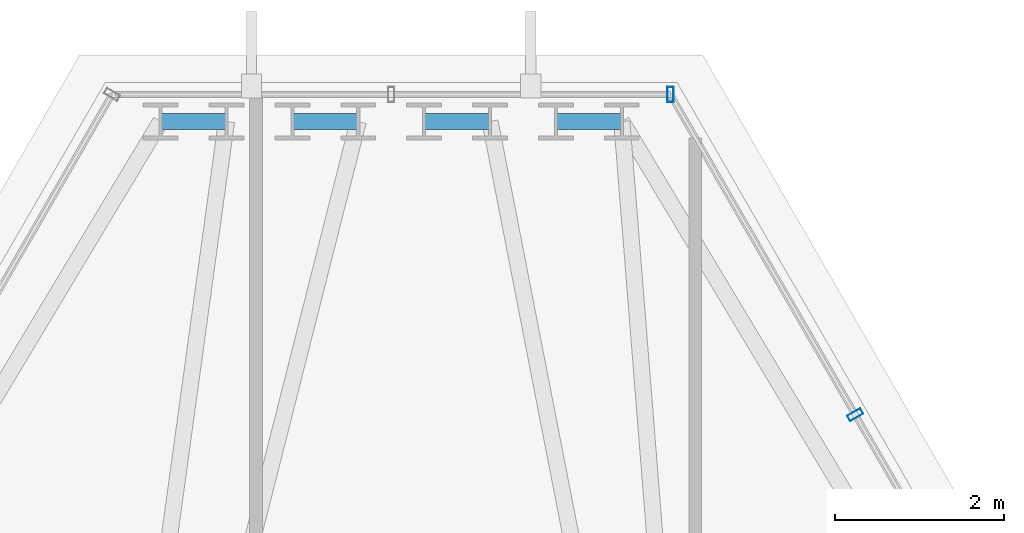
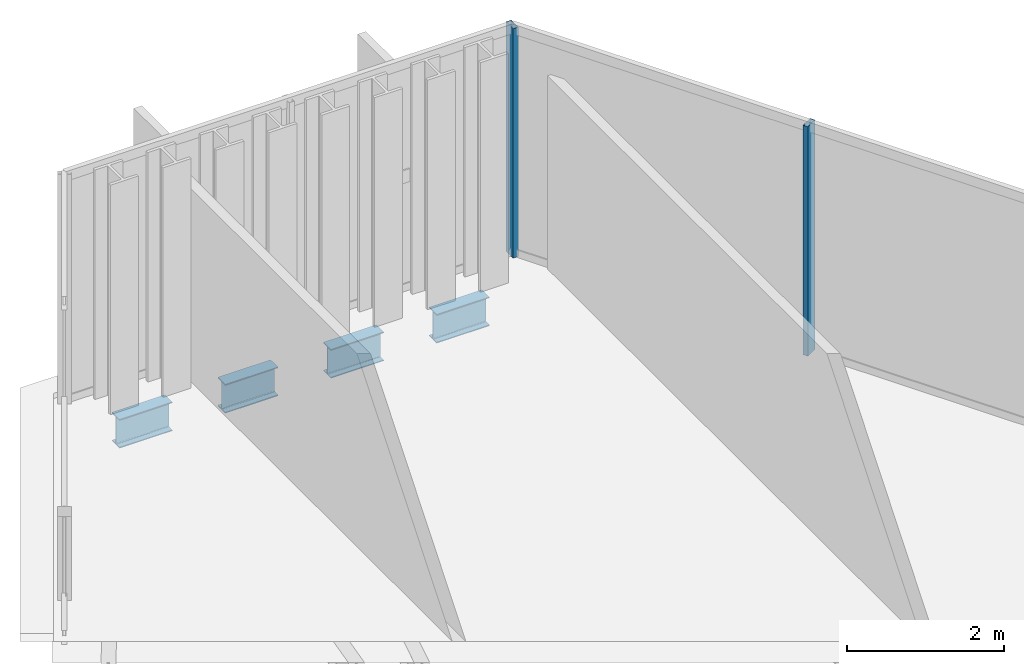
# One storey, part 22 of 29: 4 beams, 2 members, 2 elements without a shape of their own.
"""IFC4 building model written with IfcOpenShell, lengths in metres."""

from ifc_helpers import new_model, si_unit, direction, frame, origin, origin_2d, place, context, subcontext, project, spatial, hollow_rectangle, i_section, extrude, material, layer, layer_set, material_profile, profile_set, type_object, element, aggregate, save


model = new_model("IFC4")

# Units and contexts
model_context = context("Model", 3, precision=1e-05, world=origin(), true_north=direction((0.0, 1.0)))
body_context = subcontext(model_context, "Body", "Model", "MODEL_VIEW")
ifc_project = project(units=[si_unit("LENGTHUNIT", "METRE"), si_unit("AREAUNIT", "SQUARE_METRE"), si_unit("VOLUMEUNIT", "CUBIC_METRE"), si_unit("PLANEANGLEUNIT", "RADIAN"), si_unit("MASSUNIT", "GRAM", prefix="KILO")], contexts=[model_context])

# Site, building, storey
site_placement = place(None, origin())
site = spatial("IfcSite", under=ifc_project, at=site_placement, CompositionType="ELEMENT")
building_placement = place(site_placement, origin())
building = spatial("IfcBuilding", under=site, at=building_placement, Name="Ndaravel Arena Tower", CompositionType="ELEMENT")
storey_placement = place(building_placement, frame((0.0, 0.0, 240.800048828125)))
storey = spatial("IfcBuildingStorey", under=building, at=storey_placement, Name="L58", CompositionType="ELEMENT", Elevation=240.800048828125)

# Beams
ifc_material_1 = material(Name="Steel S355", Category="steel")
ifc_material_profile_1 = material_profile(ifc_material_1, i_section(OverallWidth=0.18994140625, OverallDepth=0.449951171875, WebThickness=0.009521484375, FlangeThickness=0.0146484375, FilletRadius=0.02099609375, at=origin_2d()), Name="IPE 450")
ifc_profile_set_1 = profile_set([ifc_material_profile_1], Name="Steel S355")
beam_type = type_object("IfcBeamType", Name="BM-SPAN-IPE450", PredefinedType="SPANDREL", material=ifc_profile_set_1)
for number, where, z_axis, x_axis, name in (
    (1, (44.72900390625, 44.669677734375, -0.445068359375), (-1.0, 0.0, 0.0), (0.0, -1.0, 0.0), "L58 Perimeter Spandrel Beam SP-11"),
    (2, (43.169677734375, 44.669677734375, -0.445068359375), (-1.0, 0.0, 0.0), (0.0, -1.0, 0.0), "L58 Perimeter Spandrel Beam SP-13"),
    (3, (41.610107421875, 44.669677734375, -0.445068359375), (-1.0, 0.0, 0.0), (0.0, -1.0, 0.0), "L58 Perimeter Spandrel Beam SP-15"),
    (4, (40.05078125, 44.669677734375, -0.445068359375), (-1.0, 0.0, 0.0), (0.0, -1.0, 0.0), "L58 Perimeter Spandrel Beam SP-17"),
):
    element("IfcBeam", number, at=place(storey_placement, frame(where, z_axis=z_axis, x_axis=x_axis)), inside=storey, type_object=beam_type, Name=name, PredefinedType="SPANDREL", context=body_context, shape_type="SweptSolid", body=[
        extrude(i_section(OverallWidth=0.18994140625, OverallDepth=0.449951171875, WebThickness=0.009521484375, FlangeThickness=0.0146484375, FilletRadius=0.02099609375, at=origin_2d()), origin(), (0.0, 0.0, 1.0), 0.77978515625),
    ])

# Curtain wall, member
ifc_material_2 = material(Name="Aluminium", Category="aluminium")
ifc_layer_1 = layer(ifc_material_2, 0.179931640625)
ifc_layer_set_1 = layer_set([ifc_layer_1], Name="Aluminium")
curtain_wall_type_1 = type_object("IfcCurtainWallType", Name="CW-SYS-03", PredefinedType="NOTDEFINED", material=ifc_layer_set_1)
curtain_wall_1_placement = place(storey_placement, origin())
curtain_wall_1 = element("IfcCurtainWall", 5, at=curtain_wall_1_placement, inside=storey, type_object=curtain_wall_type_1, Name="L58 Faceted Crystal Curtain Wall CW-L58-E03", PredefinedType="NOTDEFINED")
ifc_material_3 = material(Name="Aluminium", Category="aluminium")
ifc_material_profile_2 = material_profile(ifc_material_3, hollow_rectangle(XDim=0.074951171875, YDim=0.179931640625, WallThickness=0.00390625, at=origin_2d()), Name="CW MULLION 75x180x4")
ifc_profile_set_2 = profile_set([ifc_material_profile_2], Name="Aluminium")
member_type = type_object("IfcMemberType", Name="MEM-CW-MUL180", PredefinedType="MULLION", material=ifc_profile_set_2)
member_1_placement = place(storey_placement, frame((47.49169921875, 41.199951171875, 0.0), z_axis=(0.0, 0.0, 1.0), x_axis=(-0.5, 0.866025403784, 0.0)))
member_1 = element("IfcMember", 6, at=member_1_placement, type_object=member_type, Name="CW-L58-E03 Mullion 08", PredefinedType="MULLION", context=body_context, shape_type="SweptSolid", body=[
    extrude(hollow_rectangle(XDim=0.074951171875, YDim=0.179931640625, WallThickness=0.00390625, at=origin_2d()), origin(), (0.0, 0.0, 1.0), 3.579833984375),
])
aggregate(curtain_wall_1, [member_1])

ifc_material_4 = material(Name="Aluminium", Category="aluminium")
ifc_layer_2 = layer(ifc_material_4, 0.179931640625)
ifc_layer_set_2 = layer_set([ifc_layer_2], Name="Aluminium")
curtain_wall_type_2 = type_object("IfcCurtainWallType", Name="CW-SYS-01", PredefinedType="NOTDEFINED", material=ifc_layer_set_2)
curtain_wall_2_placement = place(storey_placement, origin())
curtain_wall_2 = element("IfcCurtainWall", 7, at=curtain_wall_2_placement, inside=storey, type_object=curtain_wall_type_2, Name="L58 Faceted Crystal Curtain Wall CW-L58-E04", PredefinedType="NOTDEFINED")
member_2_placement = place(storey_placement, frame((45.3037109375, 44.989501953125, 0.0), z_axis=(0.0, 0.0, 1.0), x_axis=(-1.0, 0.0, 0.0)))
member_2 = element("IfcMember", 8, at=member_2_placement, type_object=member_type, Name="CW-L58-E04 Mullion 00", PredefinedType="MULLION", context=body_context, shape_type="SweptSolid", body=[
    extrude(hollow_rectangle(XDim=0.074951171875, YDim=0.179931640625, WallThickness=0.00390625, at=origin_2d()), origin(), (0.0, 0.0, 1.0), 3.579833984375),
])
aggregate(curtain_wall_2, [member_2])

save(model, "model.ifc")
